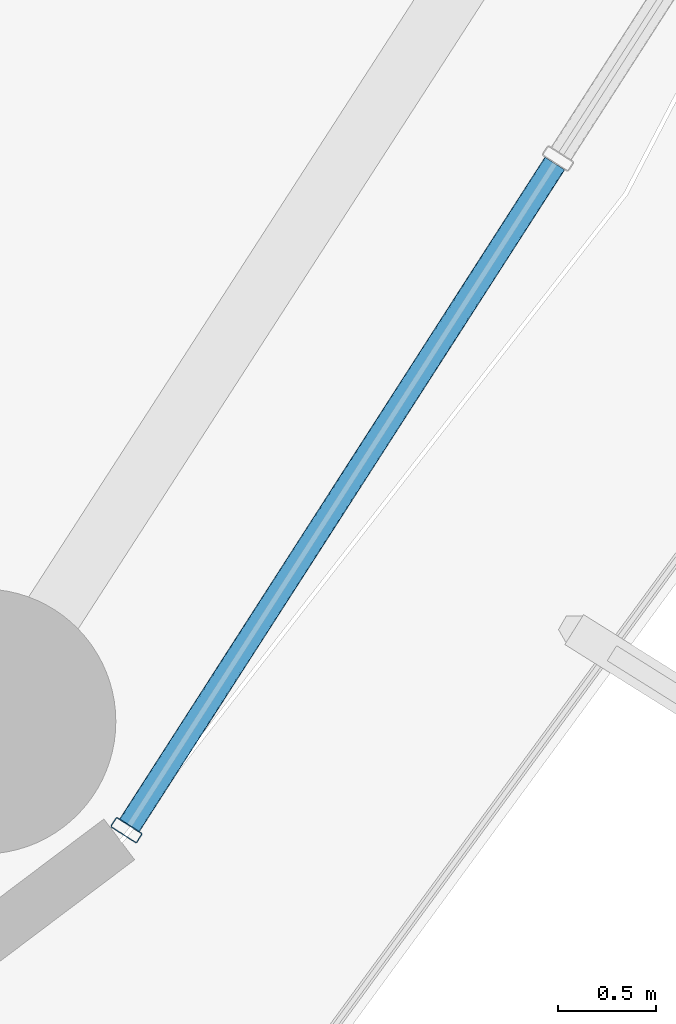
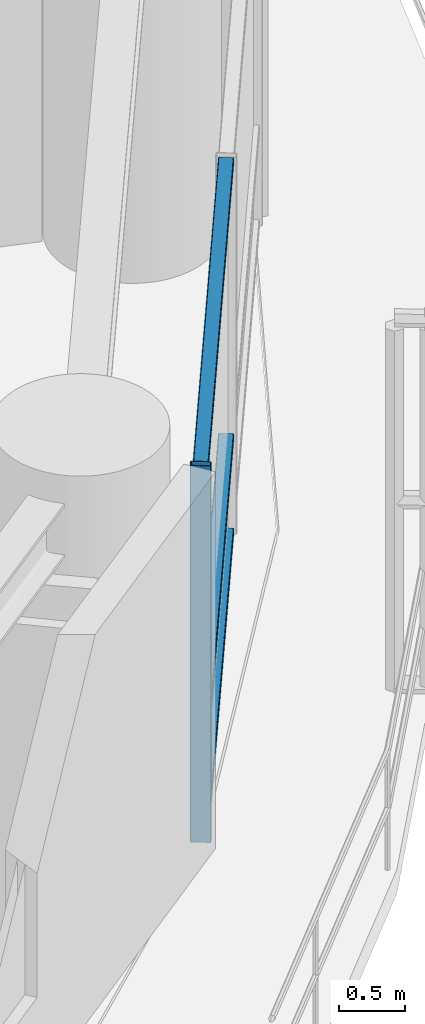
# One storey, part 12 of 36: 4 members, 1 element without a shape of its own.
"""IFC4 building model written with IfcOpenShell, lengths in metres."""

from ifc_helpers import new_model, si_unit, direction, frame, origin, origin_2d, place, context, subcontext, project, spatial, hollow_rectangle, extrude, material, layer, layer_set, material_profile, profile_set, type_object, element, aggregate, save


model = new_model("IFC4")

# Units and contexts
model_context = context("Model", 3, precision=1e-05, world=origin(), true_north=direction((0.0, 1.0)))
body_context = subcontext(model_context, "Body", "Model", "MODEL_VIEW")
ifc_project = project(units=[si_unit("LENGTHUNIT", "METRE"), si_unit("AREAUNIT", "SQUARE_METRE"), si_unit("VOLUMEUNIT", "CUBIC_METRE"), si_unit("PLANEANGLEUNIT", "RADIAN"), si_unit("MASSUNIT", "GRAM", prefix="KILO")], contexts=[model_context])

# Site, building, storey
site_placement = place(None, origin())
site = spatial("IfcSite", under=ifc_project, at=site_placement, CompositionType="ELEMENT")
building_placement = place(site_placement, origin())
building = spatial("IfcBuilding", under=site, at=building_placement, Name="Kelanora Arch Commons", CompositionType="ELEMENT")
storey_placement = place(building_placement, frame((0.0, 0.0, 102.60009765625)))
storey = spatial("IfcBuildingStorey", under=building, at=storey_placement, Name="L26", CompositionType="ELEMENT", Elevation=102.60009765625)

# Curtain wall, members
ifc_material_1 = material(Name="Terracotta ceramic-fritted low-E glass and aluminium", Category="masonry")
ifc_layer = layer(ifc_material_1, 0.159912109375)
ifc_layer_set = layer_set([ifc_layer], Name="Terracotta ceramic-fritted low-E glass and aluminium")
curtain_wall_type = type_object("IfcCurtainWallType", Name="CW-SYS-01", PredefinedType="NOTDEFINED", material=ifc_layer_set)
curtain_wall_placement = place(storey_placement, origin())
curtain_wall = element("IfcCurtainWall", 1, at=curtain_wall_placement, inside=storey, type_object=curtain_wall_type, Name="Unitised Curtain Wall L26-B16", PredefinedType="NOTDEFINED")
ifc_material_2 = material(Name="Powder-coated aluminium terracotta", Category="masonry")
ifc_material_profile_1 = material_profile(ifc_material_2, hollow_rectangle(XDim=0.159912109375, YDim=0.06005859375, WallThickness=0.0048828125, InnerFilletRadius=0.0048828125, OuterFilletRadius=0.010009765625, at=origin_2d()), Name="CWM160x60")
ifc_profile_set_1 = profile_set([ifc_material_profile_1], Name="Powder-coated aluminium terracotta")
member_type_1 = type_object("IfcMemberType", Name="CWM-STD", PredefinedType="MULLION", material=ifc_profile_set_1)
member_1_placement = place(storey_placement, frame((93.635009765625, 43.253662109375, 0.0), z_axis=(0.0, 0.0, 1.0), x_axis=(-0.841268883088, 0.540616931244, 0.0)))
member_1 = element("IfcMember", 2, at=member_1_placement, type_object=member_type_1, Name="CW-01 mullion 1", PredefinedType="MULLION", context=body_context, shape_type="SweptSolid", body=[
    extrude(hollow_rectangle(XDim=0.159912109375, YDim=0.06005859375, WallThickness=0.0048828125, InnerFilletRadius=0.0048828125, OuterFilletRadius=0.010009765625, at=origin_2d()), origin(), (0.0, 0.0, 1.0), 3.474853515625),
])
ifc_material_profile_2 = material_profile(ifc_material_2, hollow_rectangle(XDim=0.1201171875, YDim=0.06005859375, WallThickness=0.0048828125, InnerFilletRadius=0.0048828125, OuterFilletRadius=0.010009765625, at=origin_2d()), Name="CWT120x60")
ifc_profile_set_2 = profile_set([ifc_material_profile_2], Name="Powder-coated aluminium terracotta")
member_type_2 = type_object("IfcMemberType", Name="CWT-STD", PredefinedType="USERDEFINED", material=ifc_profile_set_2)
member_2_placement = place(storey_placement, frame((93.651123046875, 43.279052734375, 0.02978515625), z_axis=(0.540643629734, 0.841251725483, 0.0), x_axis=(-0.841251725483, 0.540643629734, 0.0)))
member_2 = element("IfcMember", 3, at=member_2_placement, type_object=member_type_2, Name="CW-01 transom 1.1", ObjectType="TRANSOM", PredefinedType="USERDEFINED", context=body_context, shape_type="SweptSolid", body=[
    extrude(hollow_rectangle(XDim=0.1201171875, YDim=0.06005859375, WallThickness=0.0048828125, InnerFilletRadius=0.0048828125, OuterFilletRadius=0.010009765625, at=origin_2d()), origin(), (0.0, 0.0, 1.0), 4.00634765625),
])
member_3_placement = place(storey_placement, frame((93.651123046875, 43.279052734375, 0.89990234375), z_axis=(0.540643629734, 0.841251725483, 0.0), x_axis=(-0.841251725483, 0.540643629734, 0.0)))
member_3 = element("IfcMember", 4, at=member_3_placement, type_object=member_type_2, Name="CW-01 transom 1.2", ObjectType="TRANSOM", PredefinedType="USERDEFINED", context=body_context, shape_type="SweptSolid", body=[
    extrude(hollow_rectangle(XDim=0.1201171875, YDim=0.06005859375, WallThickness=0.0048828125, InnerFilletRadius=0.0048828125, OuterFilletRadius=0.010009765625, at=origin_2d()), origin(), (0.0, 0.0, 1.0), 4.00634765625),
])
member_4_placement = place(storey_placement, frame((93.651123046875, 43.279052734375, 3.44482421875), z_axis=(0.540643629734, 0.841251725483, 0.0), x_axis=(-0.841251725483, 0.540643629734, 0.0)))
member_4 = element("IfcMember", 5, at=member_4_placement, type_object=member_type_2, Name="CW-01 transom 1.3", ObjectType="TRANSOM", PredefinedType="USERDEFINED", context=body_context, shape_type="SweptSolid", body=[
    extrude(hollow_rectangle(XDim=0.1201171875, YDim=0.06005859375, WallThickness=0.0048828125, InnerFilletRadius=0.0048828125, OuterFilletRadius=0.010009765625, at=origin_2d()), origin(), (0.0, 0.0, 1.0), 4.00634765625),
])
aggregate(curtain_wall, [member_1, member_2, member_3, member_4])

save(model, "model.ifc")
